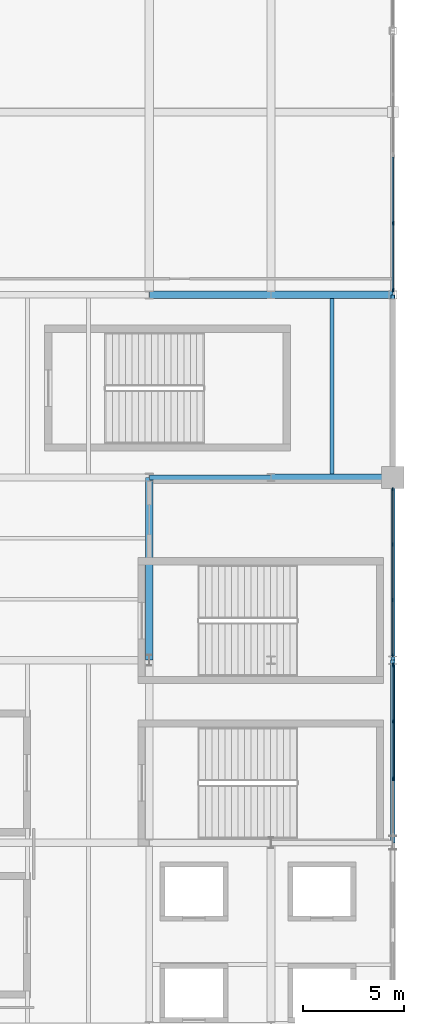
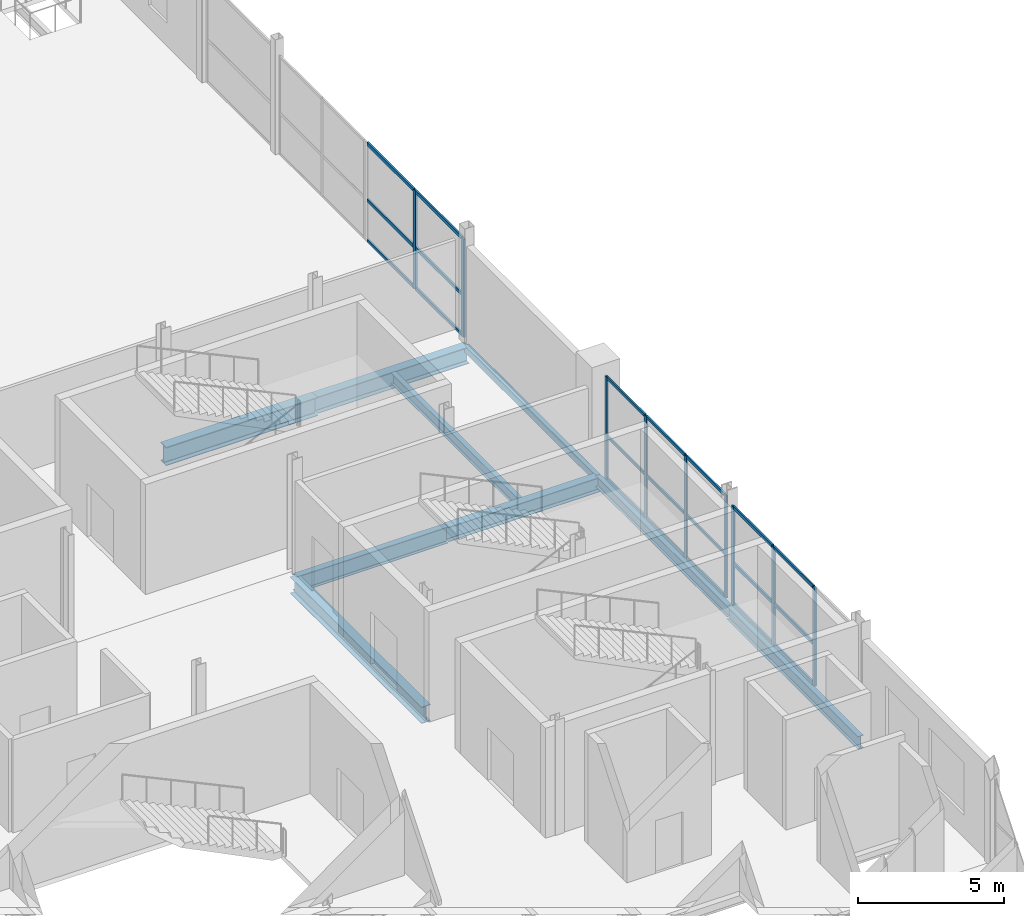
# One storey, part 36 of 69: 30 members, 9 beams, 3 elements without a shape of their own.
"""IFC4 building model written with IfcOpenShell, lengths in metres."""

from ifc_helpers import new_model, si_unit, direction, frame, origin, origin_2d, place, context, subcontext, project, spatial, rectangle, hollow_rectangle, i_section, extrude, material, layer, layer_set, material_profile, profile_set, type_object, element, aggregate, save


model = new_model("IFC4")

# Units and contexts
model_context = context("Model", 3, precision=1e-05, world=origin(), true_north=direction((0.0, 1.0)))
body_context = subcontext(model_context, "Body", "Model", "MODEL_VIEW")
ifc_project = project(units=[si_unit("LENGTHUNIT", "METRE"), si_unit("AREAUNIT", "SQUARE_METRE"), si_unit("VOLUMEUNIT", "CUBIC_METRE"), si_unit("PLANEANGLEUNIT", "RADIAN"), si_unit("MASSUNIT", "GRAM", prefix="KILO")], contexts=[model_context])

# Site, building, storey
site_placement = place(None, origin())
site = spatial("IfcSite", under=ifc_project, at=site_placement, CompositionType="ELEMENT")
building_placement = place(site_placement, origin())
building = spatial("IfcBuilding", under=site, at=building_placement, Name="Qamarlyn Nura Convention Centre", CompositionType="ELEMENT")
storey_placement = place(building_placement, frame((0.0, 0.0, 15.60009765625)))
storey = spatial("IfcBuildingStorey", under=building, at=storey_placement, Name="L03", CompositionType="ELEMENT", Elevation=15.60009765625)

# Beams
ifc_material_1 = material(Name="Steel ASTM A992", Category="steel")
ifc_material_profile_1 = material_profile(ifc_material_1, i_section(OverallWidth=0.323974609375, OverallDepth=0.611083984375, WebThickness=0.0126953125, FlangeThickness=0.01904296875, FilletRadius=0.01611328125, at=origin_2d()), Name="W610X155")
ifc_profile_set_1 = profile_set([ifc_material_profile_1], Name="Steel ASTM A992")
beam_type_1 = type_object("IfcBeamType", Name="BM-GIRD-610", PredefinedType="BEAM", material=ifc_profile_set_1)
beam_1_placement = place(storey_placement, frame((186.0, 81.0, -0.505615234375), z_axis=(1.0, 0.0, 0.0), x_axis=(0.0, 1.0, 0.0)))
element("IfcBeam", 1, at=beam_1_placement, inside=storey, type_object=beam_type_1, Name="L03 girder K 17-18", PredefinedType="BEAM", context=body_context, shape_type="SweptSolid", body=[
    extrude(i_section(OverallWidth=0.323974609375, OverallDepth=0.611083984375, WebThickness=0.0126953125, FlangeThickness=0.01904296875, FilletRadius=0.01611328125, at=origin_2d()), origin(), (0.0, 0.0, 1.0), 6.0),
])
ifc_material_profile_2 = material_profile(ifc_material_1, i_section(OverallWidth=0.35498046875, OverallDepth=0.695068359375, WebThickness=0.015380859375, FlangeThickness=0.02490234375, FilletRadius=0.01806640625, at=origin_2d()), Name="W690X217")
ifc_profile_set_2 = profile_set([ifc_material_profile_2], Name="Steel ASTM A992")
beam_type_2 = type_object("IfcBeamType", Name="BM-GIRD-690A", PredefinedType="BEAM", material=ifc_profile_set_2)
beam_2_placement = place(storey_placement, frame((186.0, 90.0, -0.547607421875), z_axis=(1.0, 0.0, 0.0), x_axis=(0.0, 1.0, 0.0)))
element("IfcBeam", 2, at=beam_2_placement, inside=storey, type_object=beam_type_2, Name="L03 girder L 17-18", PredefinedType="BEAM", context=body_context, shape_type="SweptSolid", body=[
    extrude(i_section(OverallWidth=0.35498046875, OverallDepth=0.695068359375, WebThickness=0.015380859375, FlangeThickness=0.02490234375, FilletRadius=0.01806640625, at=origin_2d()), origin(), (0.0, 0.0, 1.0), 6.0),
])
beam_3_placement = place(storey_placement, frame((180.0, 72.0, -0.547607421875), z_axis=(0.0, 1.0, 0.0), x_axis=(-1.0, 0.0, 0.0)))
element("IfcBeam", 3, at=beam_3_placement, inside=storey, type_object=beam_type_2, Name="L03 girder 16 J-K", PredefinedType="BEAM", context=body_context, shape_type="SweptSolid", body=[
    extrude(i_section(OverallWidth=0.35498046875, OverallDepth=0.695068359375, WebThickness=0.015380859375, FlangeThickness=0.02490234375, FilletRadius=0.01806640625, at=origin_2d()), origin(), (0.0, 0.0, 1.0), 9.0),
])
ifc_material_profile_3 = material_profile(ifc_material_1, i_section(OverallWidth=0.25390625, OverallDepth=0.68408203125, WebThickness=0.012451171875, FlangeThickness=0.01904296875, FilletRadius=0.01806640625, at=origin_2d()), Name="W690X140")
ifc_profile_set_3 = profile_set([ifc_material_profile_3], Name="Steel ASTM A992")
beam_type_3 = type_object("IfcBeamType", Name="BM-GIRD-690B", PredefinedType="BEAM", material=ifc_profile_set_3)
beam_4_placement = place(storey_placement, frame((180.0, 81.0, -0.5419921875), z_axis=(1.0, 0.0, 0.0), x_axis=(0.0, 1.0, 0.0)))
element("IfcBeam", 4, at=beam_4_placement, inside=storey, type_object=beam_type_3, Name="L03 girder K 16-17", PredefinedType="BEAM", context=body_context, shape_type="SweptSolid", body=[
    extrude(i_section(OverallWidth=0.25390625, OverallDepth=0.68408203125, WebThickness=0.012451171875, FlangeThickness=0.01904296875, FilletRadius=0.01806640625, at=origin_2d()), origin(), (0.0, 0.0, 1.0), 6.0),
])
ifc_material_profile_4 = material_profile(ifc_material_1, i_section(OverallWidth=0.381103515625, OverallDepth=0.77294921875, WebThickness=0.0166015625, FlangeThickness=0.027587890625, FilletRadius=0.02001953125, at=origin_2d()), Name="W760X257")
ifc_profile_set_4 = profile_set([ifc_material_profile_4], Name="Steel ASTM A992")
beam_type_4 = type_object("IfcBeamType", Name="BM-GIRD-760", PredefinedType="BEAM", material=ifc_profile_set_4)
beam_5_placement = place(storey_placement, frame((180.0, 90.0, -0.586669921875), z_axis=(1.0, 0.0, 0.0), x_axis=(0.0, 1.0, 0.0)))
element("IfcBeam", 5, at=beam_5_placement, inside=storey, type_object=beam_type_4, Name="L03 girder L 16-17", PredefinedType="BEAM", context=body_context, shape_type="SweptSolid", body=[
    extrude(i_section(OverallWidth=0.381103515625, OverallDepth=0.77294921875, WebThickness=0.0166015625, FlangeThickness=0.027587890625, FilletRadius=0.02001953125, at=origin_2d()), origin(), (0.0, 0.0, 1.0), 6.0),
])
ifc_material_profile_5 = material_profile(ifc_material_1, i_section(OverallWidth=0.18994140625, OverallDepth=0.45703125, WebThickness=0.009033203125, FlangeThickness=0.014404296875, FilletRadius=0.012939453125, at=origin_2d()), Name="W460X74")
ifc_profile_set_5 = profile_set([ifc_material_profile_5], Name="Steel ASTM A992")
beam_type_5 = type_object("IfcBeamType", Name="BM-JOIST-460", PredefinedType="JOIST", material=ifc_profile_set_5)
beam_6_placement = place(storey_placement, frame((189.0, 81.162109375, -0.4287109375), z_axis=(0.0, 1.0, 0.0), x_axis=(-1.0, 0.0, 0.0)))
element("IfcBeam", 6, at=beam_6_placement, inside=storey, type_object=beam_type_5, Name="L03 secondary joist 17-18/K-L-51", PredefinedType="JOIST", context=body_context, shape_type="SweptSolid", body=[
    extrude(i_section(OverallWidth=0.18994140625, OverallDepth=0.45703125, WebThickness=0.009033203125, FlangeThickness=0.014404296875, FilletRadius=0.012939453125, at=origin_2d()), origin(), (0.0, 0.0, 1.0), 8.660400390625),
])
ifc_material_profile_6 = material_profile(ifc_material_1, i_section(OverallWidth=0.193115234375, OverallDepth=0.466064453125, WebThickness=0.011474609375, FlangeThickness=0.01904296875, FilletRadius=0.012939453125, at=origin_2d()), Name="W460X97")
ifc_profile_set_6 = profile_set([ifc_material_profile_6], Name="Steel ASTM A992")
beam_type_6 = type_object("IfcBeamType", Name="BM-SPAN-460", PredefinedType="SPANDREL", material=ifc_profile_set_6)
beam_7_placement = place(storey_placement, frame((192.0, 72.0, -0.43310546875), z_axis=(0.0, 1.0, 0.0), x_axis=(-1.0, 0.0, 0.0)))
element("IfcBeam", 7, at=beam_7_placement, inside=storey, type_object=beam_type_6, Name="L03 girder 18 J-K", PredefinedType="SPANDREL", context=body_context, shape_type="SweptSolid", body=[
    extrude(i_section(OverallWidth=0.193115234375, OverallDepth=0.466064453125, WebThickness=0.011474609375, FlangeThickness=0.01904296875, FilletRadius=0.012939453125, at=origin_2d()), origin(), (0.0, 0.0, 1.0), 9.0),
])
ifc_material_profile_7 = material_profile(ifc_material_1, i_section(OverallWidth=0.2109375, OverallDepth=0.5390625, WebThickness=0.01171875, FlangeThickness=0.018798828125, FilletRadius=0.013916015625, at=origin_2d()), Name="W530X109")
ifc_profile_set_7 = profile_set([ifc_material_profile_7], Name="Steel ASTM A992")
beam_type_7 = type_object("IfcBeamType", Name="BM-SPAN-530", PredefinedType="SPANDREL", material=ifc_profile_set_7)
beam_8_placement = place(storey_placement, frame((192.0, 63.0, -0.469482421875), z_axis=(0.0, 1.0, 0.0), x_axis=(-1.0, 0.0, 0.0)))
element("IfcBeam", 8, at=beam_8_placement, inside=storey, type_object=beam_type_7, Name="L03 girder 18 H-J", PredefinedType="SPANDREL", context=body_context, shape_type="SweptSolid", body=[
    extrude(i_section(OverallWidth=0.2109375, OverallDepth=0.5390625, WebThickness=0.01171875, FlangeThickness=0.018798828125, FilletRadius=0.013916015625, at=origin_2d()), origin(), (0.0, 0.0, 1.0), 9.0),
])
ifc_material_2 = material(Name="Steel ASTM A500 Grade C", Category="steel")
ifc_material_profile_8 = material_profile(ifc_material_2, hollow_rectangle(XDim=0.199951171875, YDim=0.300048828125, WallThickness=0.012451171875, InnerFilletRadius=0.012451171875, OuterFilletRadius=0.02490234375, at=origin_2d()), Name="HSS300X200X12.5")
ifc_profile_set_8 = profile_set([ifc_material_profile_8], Name="Steel ASTM A500 Grade C")
beam_type_8 = type_object("IfcBeamType", Name="BM-SPAN-HSS", PredefinedType="SPANDREL", material=ifc_profile_set_8)
beam_9_placement = place(storey_placement, frame((192.0, 81.0, -0.35009765625), z_axis=(0.0, 1.0, 0.0), x_axis=(-1.0, 0.0, 0.0)))
element("IfcBeam", 9, at=beam_9_placement, inside=storey, type_object=beam_type_8, Name="L03 girder 18 K-L", PredefinedType="SPANDREL", context=body_context, shape_type="SweptSolid", body=[
    extrude(hollow_rectangle(XDim=0.199951171875, YDim=0.300048828125, WallThickness=0.012451171875, InnerFilletRadius=0.012451171875, OuterFilletRadius=0.02490234375, at=origin_2d()), origin(), (0.0, 0.0, 1.0), 9.0),
])

# Curtain wall, members
ifc_material_3 = material(Name="Double-silver low-E insulated glass", Category="glass")
ifc_layer_1 = layer(ifc_material_3, 0.179931640625, Name="CW-UNIT-113")
ifc_layer_set_1 = layer_set([ifc_layer_1], Name="Double-silver low-E insulated glass")
curtain_wall_type_1 = type_object("IfcCurtainWallType", Name="CW-UNIT-113", PredefinedType="NOTDEFINED", material=ifc_layer_set_1)
curtain_wall_1_placement = place(storey_placement, origin())
curtain_wall_1 = element("IfcCurtainWall", 10, at=curtain_wall_1_placement, inside=storey, type_object=curtain_wall_type_1, Name="L03 unitised curtain wall EAST-9-1", PredefinedType="NOTDEFINED")
ifc_material_4 = material(Name="Champagne-anodised marine aluminium", Category="aluminium")
ifc_material_profile_9 = material_profile(ifc_material_4, rectangle(XDim=0.06494140625, YDim=0.159912109375, at=origin_2d()), Name="ALU MULLION 65x160")
ifc_profile_set_9 = profile_set([ifc_material_profile_9], Name="Champagne-anodised marine aluminium")
member_type_1 = type_object("IfcMemberType", Name="CWM-160", PredefinedType="MULLION", material=ifc_profile_set_9)
member_1_placement = place(storey_placement, frame((192.0, 80.41748046875, 0.0), z_axis=(0.0, 0.0, 1.0), x_axis=(1.0, 0.0, 0.0)))
member_1 = element("IfcMember", 11, at=member_1_placement, type_object=member_type_1, Name="CW113 mullion 1", PredefinedType="MULLION", context=body_context, shape_type="SweptSolid", body=[
    extrude(rectangle(XDim=0.06494140625, YDim=0.159912109375, at=origin_2d()), origin(), (0.0, 0.0, 1.0), 4.284912109375),
])
member_2_placement = place(storey_placement, frame((192.0, 77.7041015625, 0.0), z_axis=(0.0, 0.0, 1.0), x_axis=(1.0, 0.0, 0.0)))
member_2 = element("IfcMember", 12, at=member_2_placement, type_object=member_type_1, Name="CW113 mullion 2", PredefinedType="MULLION", context=body_context, shape_type="SweptSolid", body=[
    extrude(rectangle(XDim=0.06494140625, YDim=0.159912109375, at=origin_2d()), origin(), (0.0, 0.0, 1.0), 4.284912109375),
])
member_3_placement = place(storey_placement, frame((192.0, 74.958251953125, 0.0), z_axis=(0.0, 0.0, 1.0), x_axis=(1.0, 0.0, 0.0)))
member_3 = element("IfcMember", 13, at=member_3_placement, type_object=member_type_1, Name="CW113 mullion 3", PredefinedType="MULLION", context=body_context, shape_type="SweptSolid", body=[
    extrude(rectangle(XDim=0.06494140625, YDim=0.159912109375, at=origin_2d()), origin(), (0.0, 0.0, 1.0), 4.284912109375),
])
member_4_placement = place(storey_placement, frame((192.0, 72.2451171875, 0.0), z_axis=(0.0, 0.0, 1.0), x_axis=(1.0, 0.0, 0.0)))
member_4 = element("IfcMember", 14, at=member_4_placement, type_object=member_type_1, Name="CW113 mullion 4", PredefinedType="MULLION", context=body_context, shape_type="SweptSolid", body=[
    extrude(rectangle(XDim=0.06494140625, YDim=0.159912109375, at=origin_2d()), origin(), (0.0, 0.0, 1.0), 4.284912109375),
])

ifc_layer_2 = layer(ifc_material_3, 0.179931640625, Name="CW-UNIT-114")
ifc_layer_set_2 = layer_set([ifc_layer_2], Name="Double-silver low-E insulated glass")
curtain_wall_type_2 = type_object("IfcCurtainWallType", Name="CW-UNIT-114", PredefinedType="NOTDEFINED", material=ifc_layer_set_2)
curtain_wall_2_placement = place(storey_placement, origin())
curtain_wall_2 = element("IfcCurtainWall", 15, at=curtain_wall_2_placement, inside=storey, type_object=curtain_wall_type_2, Name="L03 unitised curtain wall EAST-8-1", PredefinedType="NOTDEFINED")
ifc_material_profile_10 = material_profile(ifc_material_4, rectangle(XDim=0.070068359375, YDim=0.179931640625, at=origin_2d()), Name="ALU MULLION 70x180")
ifc_profile_set_10 = profile_set([ifc_material_profile_10], Name="Champagne-anodised marine aluminium")
member_type_2 = type_object("IfcMemberType", Name="CWM-180", PredefinedType="MULLION", material=ifc_profile_set_10)
member_5_placement = place(storey_placement, frame((192.0, 71.75244140625, 0.0), z_axis=(0.0, 0.0, 1.0), x_axis=(1.0, 0.0, 0.0)))
member_5 = element("IfcMember", 16, at=member_5_placement, type_object=member_type_2, Name="CW114 mullion 1", PredefinedType="MULLION", context=body_context, shape_type="SweptSolid", body=[
    extrude(rectangle(XDim=0.070068359375, YDim=0.179931640625, at=origin_2d()), origin(), (0.0, 0.0, 1.0), 4.118896484375),
])
member_6_placement = place(storey_placement, frame((192.0, 68.97412109375, 0.0), z_axis=(0.0, 0.0, 1.0), x_axis=(1.0, 0.0, 0.0)))
member_6 = element("IfcMember", 17, at=member_6_placement, type_object=member_type_2, Name="CW114 mullion 2", PredefinedType="MULLION", context=body_context, shape_type="SweptSolid", body=[
    extrude(rectangle(XDim=0.070068359375, YDim=0.179931640625, at=origin_2d()), origin(), (0.0, 0.0, 1.0), 4.118896484375),
])
member_7_placement = place(storey_placement, frame((192.0, 66.160888671875, 0.0), z_axis=(0.0, 0.0, 1.0), x_axis=(1.0, 0.0, 0.0)))
member_7 = element("IfcMember", 18, at=member_7_placement, type_object=member_type_2, Name="CW114 mullion 3", PredefinedType="MULLION", context=body_context, shape_type="SweptSolid", body=[
    extrude(rectangle(XDim=0.070068359375, YDim=0.179931640625, at=origin_2d()), origin(), (0.0, 0.0, 1.0), 4.118896484375),
])

ifc_layer_3 = layer(ifc_material_3, 0.179931640625, Name="CW-UNIT-116")
ifc_layer_set_3 = layer_set([ifc_layer_3], Name="Double-silver low-E insulated glass")
curtain_wall_type_3 = type_object("IfcCurtainWallType", Name="CW-UNIT-116", PredefinedType="NOTDEFINED", material=ifc_layer_set_3)
curtain_wall_3_placement = place(storey_placement, origin())
curtain_wall_3 = element("IfcCurtainWall", 19, at=curtain_wall_3_placement, inside=storey, type_object=curtain_wall_type_3, Name="L03 unitised curtain wall EAST-11-1B", PredefinedType="NOTDEFINED")
member_8_placement = place(storey_placement, frame((192.0, 93.525634765625, 0.0), z_axis=(0.0, 0.0, 1.0), x_axis=(1.0, 0.0, 0.0)))
member_8 = element("IfcMember", 20, at=member_8_placement, type_object=member_type_2, Name="CW116 mullion 2", PredefinedType="MULLION", context=body_context, shape_type="SweptSolid", body=[
    extrude(rectangle(XDim=0.070068359375, YDim=0.179931640625, at=origin_2d()), origin(), (0.0, 0.0, 1.0), 4.118896484375),
])
member_9_placement = place(storey_placement, frame((192.0, 90.235107421875, 0.0), z_axis=(0.0, 0.0, 1.0), x_axis=(1.0, 0.0, 0.0)))
member_9 = element("IfcMember", 21, at=member_9_placement, type_object=member_type_2, Name="CW116 mullion 3", PredefinedType="MULLION", context=body_context, shape_type="SweptSolid", body=[
    extrude(rectangle(XDim=0.070068359375, YDim=0.179931640625, at=origin_2d()), origin(), (0.0, 0.0, 1.0), 4.118896484375),
])

# Member
ifc_material_profile_11 = material_profile(ifc_material_4, rectangle(XDim=0.06494140625, YDim=0.1201171875, at=origin_2d()), Name="ALU TRANSOM 65x120")
ifc_profile_set_11 = profile_set([ifc_material_profile_11], Name="Champagne-anodised marine aluminium")
member_type_3 = type_object("IfcMemberType", Name="CWT-120", PredefinedType="USERDEFINED", material=ifc_profile_set_11)
member_10_placement = place(storey_placement, frame((192.0, 80.385009765625, 0.032470703125), z_axis=(0.0, -1.0, 0.0), x_axis=(1.0, 0.0, 0.0)))
member_10 = element("IfcMember", 22, at=member_10_placement, type_object=member_type_3, Name="CW113 transom 1.1", ObjectType="TRANSOM", PredefinedType="USERDEFINED", context=body_context, shape_type="SweptSolid", body=[
    extrude(rectangle(XDim=0.06494140625, YDim=0.1201171875, at=origin_2d()), origin(), (0.0, 0.0, 1.0), 2.6484375),
])

member_11_placement = place(storey_placement, frame((192.0, 80.385009765625, 1.7998046875), z_axis=(0.0, -1.0, 0.0), x_axis=(1.0, 0.0, 0.0)))
member_11 = element("IfcMember", 23, at=member_11_placement, type_object=member_type_3, Name="CW113 transom 1.2", ObjectType="TRANSOM", PredefinedType="USERDEFINED", context=body_context, shape_type="SweptSolid", body=[
    extrude(rectangle(XDim=0.06494140625, YDim=0.1201171875, at=origin_2d()), origin(), (0.0, 0.0, 1.0), 2.6484375),
])

member_12_placement = place(storey_placement, frame((192.0, 80.385009765625, 4.25244140625), z_axis=(0.0, -1.0, 0.0), x_axis=(1.0, 0.0, 0.0)))
member_12 = element("IfcMember", 24, at=member_12_placement, type_object=member_type_3, Name="CW113 transom 1.3", ObjectType="TRANSOM", PredefinedType="USERDEFINED", context=body_context, shape_type="SweptSolid", body=[
    extrude(rectangle(XDim=0.06494140625, YDim=0.1201171875, at=origin_2d()), origin(), (0.0, 0.0, 1.0), 2.6484375),
])

member_13_placement = place(storey_placement, frame((192.0, 77.671630859375, 0.032470703125), z_axis=(0.0, -1.0, 0.0), x_axis=(1.0, 0.0, 0.0)))
member_13 = element("IfcMember", 25, at=member_13_placement, type_object=member_type_3, Name="CW113 transom 2.1", ObjectType="TRANSOM", PredefinedType="USERDEFINED", context=body_context, shape_type="SweptSolid", body=[
    extrude(rectangle(XDim=0.06494140625, YDim=0.1201171875, at=origin_2d()), origin(), (0.0, 0.0, 1.0), 2.680908203125),
])

member_14_placement = place(storey_placement, frame((192.0, 77.671630859375, 1.7998046875), z_axis=(0.0, -1.0, 0.0), x_axis=(1.0, 0.0, 0.0)))
member_14 = element("IfcMember", 26, at=member_14_placement, type_object=member_type_3, Name="CW113 transom 2.2", ObjectType="TRANSOM", PredefinedType="USERDEFINED", context=body_context, shape_type="SweptSolid", body=[
    extrude(rectangle(XDim=0.06494140625, YDim=0.1201171875, at=origin_2d()), origin(), (0.0, 0.0, 1.0), 2.680908203125),
])

member_15_placement = place(storey_placement, frame((192.0, 77.671630859375, 4.25244140625), z_axis=(0.0, -1.0, 0.0), x_axis=(1.0, 0.0, 0.0)))
member_15 = element("IfcMember", 27, at=member_15_placement, type_object=member_type_3, Name="CW113 transom 2.3", ObjectType="TRANSOM", PredefinedType="USERDEFINED", context=body_context, shape_type="SweptSolid", body=[
    extrude(rectangle(XDim=0.06494140625, YDim=0.1201171875, at=origin_2d()), origin(), (0.0, 0.0, 1.0), 2.680908203125),
])

member_16_placement = place(storey_placement, frame((192.0, 74.92578125, 0.032470703125), z_axis=(0.0, -1.0, 0.0), x_axis=(1.0, 0.0, 0.0)))
member_16 = element("IfcMember", 28, at=member_16_placement, type_object=member_type_3, Name="CW113 transom 3.1", ObjectType="TRANSOM", PredefinedType="USERDEFINED", context=body_context, shape_type="SweptSolid", body=[
    extrude(rectangle(XDim=0.06494140625, YDim=0.1201171875, at=origin_2d()), origin(), (0.0, 0.0, 1.0), 2.648193359375),
])

member_17_placement = place(storey_placement, frame((192.0, 74.92578125, 1.7998046875), z_axis=(0.0, -1.0, 0.0), x_axis=(1.0, 0.0, 0.0)))
member_17 = element("IfcMember", 29, at=member_17_placement, type_object=member_type_3, Name="CW113 transom 3.2", ObjectType="TRANSOM", PredefinedType="USERDEFINED", context=body_context, shape_type="SweptSolid", body=[
    extrude(rectangle(XDim=0.06494140625, YDim=0.1201171875, at=origin_2d()), origin(), (0.0, 0.0, 1.0), 2.648193359375),
])

member_18_placement = place(storey_placement, frame((192.0, 74.92578125, 4.25244140625), z_axis=(0.0, -1.0, 0.0), x_axis=(1.0, 0.0, 0.0)))
member_18 = element("IfcMember", 30, at=member_18_placement, type_object=member_type_3, Name="CW113 transom 3.3", ObjectType="TRANSOM", PredefinedType="USERDEFINED", context=body_context, shape_type="SweptSolid", body=[
    extrude(rectangle(XDim=0.06494140625, YDim=0.1201171875, at=origin_2d()), origin(), (0.0, 0.0, 1.0), 2.648193359375),
])

aggregate(curtain_wall_1, [member_1, member_2, member_3, member_4, member_10, member_11, member_12, member_13, member_14, member_15, member_16, member_17, member_18])

ifc_material_profile_12 = material_profile(ifc_material_4, rectangle(XDim=0.070068359375, YDim=0.139892578125, at=origin_2d()), Name="ALU TRANSOM 70x140")
ifc_profile_set_12 = profile_set([ifc_material_profile_12], Name="Champagne-anodised marine aluminium")
member_type_4 = type_object("IfcMemberType", Name="CWT-140", PredefinedType="USERDEFINED", material=ifc_profile_set_12)
member_19_placement = place(storey_placement, frame((192.0, 71.717529296875, 0.034912109375), z_axis=(0.0, -1.0, 0.0), x_axis=(1.0, 0.0, 0.0)))
member_19 = element("IfcMember", 31, at=member_19_placement, type_object=member_type_4, Name="CW114 transom 1.1", ObjectType="TRANSOM", PredefinedType="USERDEFINED", context=body_context, shape_type="SweptSolid", body=[
    extrude(rectangle(XDim=0.070068359375, YDim=0.139892578125, at=origin_2d()), origin(), (0.0, 0.0, 1.0), 2.708251953125),
])

member_20_placement = place(storey_placement, frame((192.0, 71.717529296875, 1.72998046875), z_axis=(0.0, -1.0, 0.0), x_axis=(1.0, 0.0, 0.0)))
member_20 = element("IfcMember", 32, at=member_20_placement, type_object=member_type_4, Name="CW114 transom 1.2", ObjectType="TRANSOM", PredefinedType="USERDEFINED", context=body_context, shape_type="SweptSolid", body=[
    extrude(rectangle(XDim=0.070068359375, YDim=0.139892578125, at=origin_2d()), origin(), (0.0, 0.0, 1.0), 2.708251953125),
])

member_21_placement = place(storey_placement, frame((192.0, 71.717529296875, 4.083984375), z_axis=(0.0, -1.0, 0.0), x_axis=(1.0, 0.0, 0.0)))
member_21 = element("IfcMember", 33, at=member_21_placement, type_object=member_type_4, Name="CW114 transom 1.3", ObjectType="TRANSOM", PredefinedType="USERDEFINED", context=body_context, shape_type="SweptSolid", body=[
    extrude(rectangle(XDim=0.070068359375, YDim=0.139892578125, at=origin_2d()), origin(), (0.0, 0.0, 1.0), 2.708251953125),
])

member_22_placement = place(storey_placement, frame((192.0, 68.939208984375, 0.034912109375), z_axis=(0.0, -1.0, 0.0), x_axis=(1.0, 0.0, 0.0)))
member_22 = element("IfcMember", 34, at=member_22_placement, type_object=member_type_4, Name="CW114 transom 2.1", ObjectType="TRANSOM", PredefinedType="USERDEFINED", context=body_context, shape_type="SweptSolid", body=[
    extrude(rectangle(XDim=0.070068359375, YDim=0.139892578125, at=origin_2d()), origin(), (0.0, 0.0, 1.0), 2.743408203125),
])

member_23_placement = place(storey_placement, frame((192.0, 68.939208984375, 1.72998046875), z_axis=(0.0, -1.0, 0.0), x_axis=(1.0, 0.0, 0.0)))
member_23 = element("IfcMember", 35, at=member_23_placement, type_object=member_type_4, Name="CW114 transom 2.2", ObjectType="TRANSOM", PredefinedType="USERDEFINED", context=body_context, shape_type="SweptSolid", body=[
    extrude(rectangle(XDim=0.070068359375, YDim=0.139892578125, at=origin_2d()), origin(), (0.0, 0.0, 1.0), 2.743408203125),
])

member_24_placement = place(storey_placement, frame((192.0, 68.939208984375, 4.083984375), z_axis=(0.0, -1.0, 0.0), x_axis=(1.0, 0.0, 0.0)))
member_24 = element("IfcMember", 36, at=member_24_placement, type_object=member_type_4, Name="CW114 transom 2.3", ObjectType="TRANSOM", PredefinedType="USERDEFINED", context=body_context, shape_type="SweptSolid", body=[
    extrude(rectangle(XDim=0.070068359375, YDim=0.139892578125, at=origin_2d()), origin(), (0.0, 0.0, 1.0), 2.743408203125),
])

aggregate(curtain_wall_2, [member_5, member_6, member_7, member_19, member_20, member_21, member_22, member_23, member_24])

member_25_placement = place(storey_placement, frame((192.0, 96.78125, 0.034912109375), z_axis=(0.0, -1.0, 0.0), x_axis=(1.0, 0.0, 0.0)))
member_25 = element("IfcMember", 37, at=member_25_placement, type_object=member_type_4, Name="CW116 transom 1.1", ObjectType="TRANSOM", PredefinedType="USERDEFINED", context=body_context, shape_type="SweptSolid", body=[
    extrude(rectangle(XDim=0.070068359375, YDim=0.139892578125, at=origin_2d()), origin(), (0.0, 0.0, 1.0), 3.220703125),
])

member_26_placement = place(storey_placement, frame((192.0, 96.78125, 1.72998046875), z_axis=(0.0, -1.0, 0.0), x_axis=(1.0, 0.0, 0.0)))
member_26 = element("IfcMember", 38, at=member_26_placement, type_object=member_type_4, Name="CW116 transom 1.2", ObjectType="TRANSOM", PredefinedType="USERDEFINED", context=body_context, shape_type="SweptSolid", body=[
    extrude(rectangle(XDim=0.070068359375, YDim=0.139892578125, at=origin_2d()), origin(), (0.0, 0.0, 1.0), 3.220703125),
])

member_27_placement = place(storey_placement, frame((192.0, 96.78125, 4.083984375), z_axis=(0.0, -1.0, 0.0), x_axis=(1.0, 0.0, 0.0)))
member_27 = element("IfcMember", 39, at=member_27_placement, type_object=member_type_4, Name="CW116 transom 1.3", ObjectType="TRANSOM", PredefinedType="USERDEFINED", context=body_context, shape_type="SweptSolid", body=[
    extrude(rectangle(XDim=0.070068359375, YDim=0.139892578125, at=origin_2d()), origin(), (0.0, 0.0, 1.0), 3.220703125),
])

member_28_placement = place(storey_placement, frame((192.0, 93.49072265625, 0.034912109375), z_axis=(0.0, -1.0, 0.0), x_axis=(1.0, 0.0, 0.0)))
member_28 = element("IfcMember", 40, at=member_28_placement, type_object=member_type_4, Name="CW116 transom 2.1", ObjectType="TRANSOM", PredefinedType="USERDEFINED", context=body_context, shape_type="SweptSolid", body=[
    extrude(rectangle(XDim=0.070068359375, YDim=0.139892578125, at=origin_2d()), origin(), (0.0, 0.0, 1.0), 3.220703125),
])

member_29_placement = place(storey_placement, frame((192.0, 93.49072265625, 1.72998046875), z_axis=(0.0, -1.0, 0.0), x_axis=(1.0, 0.0, 0.0)))
member_29 = element("IfcMember", 41, at=member_29_placement, type_object=member_type_4, Name="CW116 transom 2.2", ObjectType="TRANSOM", PredefinedType="USERDEFINED", context=body_context, shape_type="SweptSolid", body=[
    extrude(rectangle(XDim=0.070068359375, YDim=0.139892578125, at=origin_2d()), origin(), (0.0, 0.0, 1.0), 3.220703125),
])

member_30_placement = place(storey_placement, frame((192.0, 93.49072265625, 4.083984375), z_axis=(0.0, -1.0, 0.0), x_axis=(1.0, 0.0, 0.0)))
member_30 = element("IfcMember", 42, at=member_30_placement, type_object=member_type_4, Name="CW116 transom 2.3", ObjectType="TRANSOM", PredefinedType="USERDEFINED", context=body_context, shape_type="SweptSolid", body=[
    extrude(rectangle(XDim=0.070068359375, YDim=0.139892578125, at=origin_2d()), origin(), (0.0, 0.0, 1.0), 3.220703125),
])

aggregate(curtain_wall_3, [member_8, member_9, member_25, member_26, member_27, member_28, member_29, member_30])

save(model, "model.ifc")
